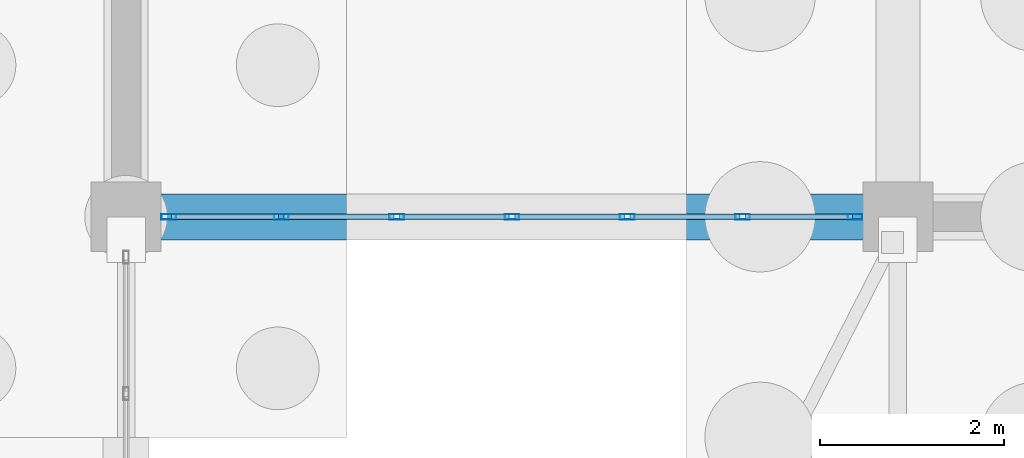
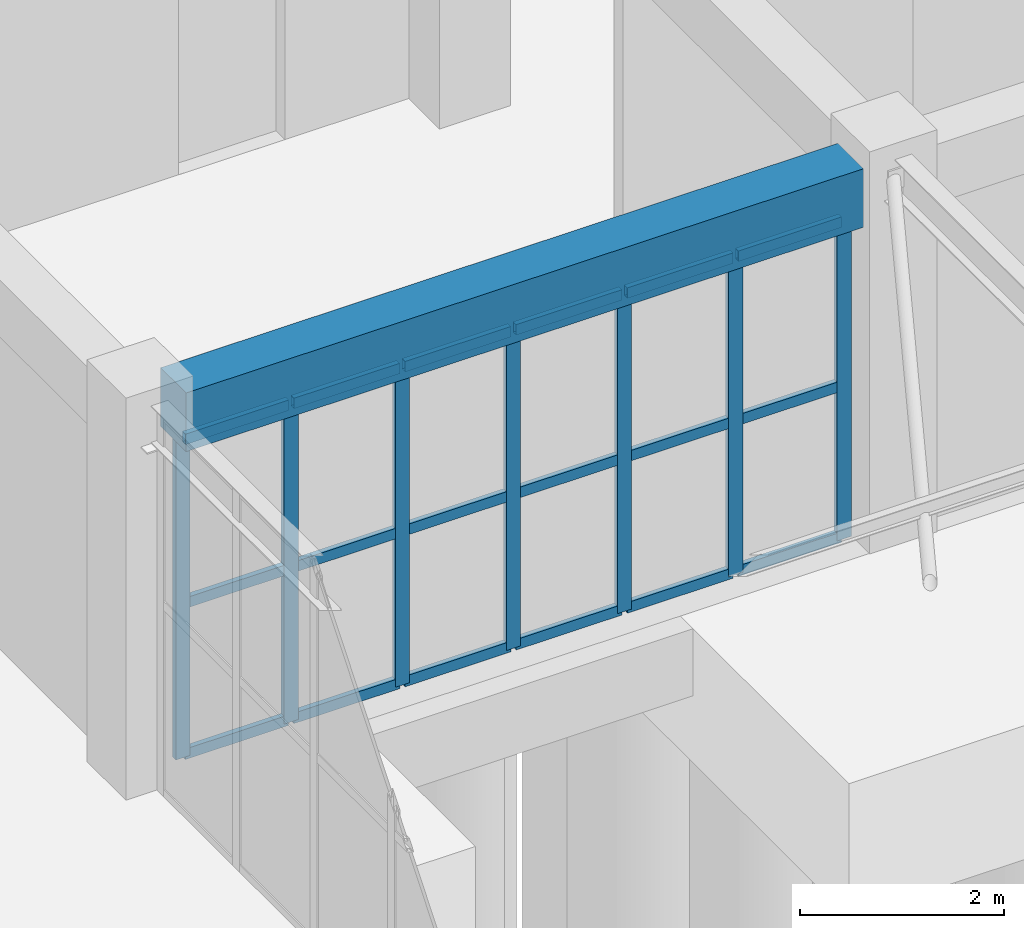
# One storey, part 65 of 192: 25 members, 1 beam, 1 element without a shape of its own.
"""IFC4 building model written with IfcOpenShell, lengths in metres."""

from ifc_helpers import new_model, si_unit, direction, frame, origin, origin_2d, place, context, subcontext, project, spatial, rectangle, hollow_rectangle, extrude, material, layer, layer_set, material_profile, profile_set, type_object, element, aggregate, save


model = new_model("IFC4")

# Units and contexts
model_context = context("Model", 3, precision=1e-05, world=origin(), true_north=direction((0.0, 1.0)))
body_context = subcontext(model_context, "Body", "Model", "MODEL_VIEW")
ifc_project = project(units=[si_unit("LENGTHUNIT", "METRE"), si_unit("AREAUNIT", "SQUARE_METRE"), si_unit("VOLUMEUNIT", "CUBIC_METRE"), si_unit("PLANEANGLEUNIT", "RADIAN"), si_unit("MASSUNIT", "GRAM", prefix="KILO")], contexts=[model_context])

# Site, building, storey
site_placement = place(None, origin())
site = spatial("IfcSite", under=ifc_project, at=site_placement, CompositionType="ELEMENT")
building_placement = place(site_placement, origin())
building = spatial("IfcBuilding", under=site, at=building_placement, Name="Trelvath General Hospital", CompositionType="ELEMENT")
storey_placement = place(building_placement, origin())
storey = spatial("IfcBuildingStorey", under=building, at=storey_placement, Name="L00", CompositionType="ELEMENT", Elevation=0.0)

# Beam
ifc_material_1 = material(Name="Concrete C35/45", Category="concrete")
ifc_material_profile_1 = material_profile(ifc_material_1, rectangle(XDim=0.5, YDim=0.699951171875, at=origin_2d()), Name="RCB500x700")
ifc_profile_set_1 = profile_set([ifc_material_profile_1], Name="Concrete C35/45")
beam_type = type_object("IfcBeamType", Name="Beam RC500x700", PredefinedType="BEAM", material=ifc_profile_set_1)
beam_placement = place(storey_placement, frame((75.97509765625, 42.0, 4.169921875), z_axis=(1.0, 0.0, 0.0), x_axis=(0.0, 1.0, 0.0)))
element("IfcBeam", 1, at=beam_placement, inside=storey, type_object=beam_type, Name="Grid Beam BX-009F", PredefinedType="BEAM", context=body_context, shape_type="SweptSolid", body=[
    extrude(rectangle(XDim=0.5, YDim=0.699951171875, at=origin_2d()), origin(), (0.0, 0.0, 1.0), 7.64990234375),
])

# Curtain wall, members
ifc_material_2 = material(Name="Anodised aluminium and low-E glass", Category="aluminium")
ifc_layer = layer(ifc_material_2, 0.159912109375)
ifc_layer_set = layer_set([ifc_layer], Name="Anodised aluminium and low-E glass")
curtain_wall_type = type_object("IfcCurtainWallType", Name="CW Facade 753 382 16", PredefinedType="USERDEFINED", material=ifc_layer_set)
curtain_wall_placement = place(storey_placement, origin())
curtain_wall = element("IfcCurtainWall", 2, at=curtain_wall_placement, inside=storey, type_object=curtain_wall_type, Name="Facade Curtain Wall CW-001", ObjectType="Unitised Glazed Curtain Wall", PredefinedType="USERDEFINED")
ifc_material_3 = material(Name="Anodised aluminium", Category="aluminium")
ifc_material_profile_2 = material_profile(ifc_material_3, hollow_rectangle(XDim=0.06005859375, YDim=0.159912109375, WallThickness=0.00390625, at=origin_2d()), Name="RHS60x160x4")
ifc_profile_set_2 = profile_set([ifc_material_profile_2], Name="Anodised aluminium")
member_type_1 = type_object("IfcMemberType", Name="CurtainMullion 60x160", PredefinedType="MULLION", material=ifc_profile_set_2)
member_1_placement = place(storey_placement, frame((83.534912109375, 42.0, 0.0), z_axis=(0.0, 0.0, 1.0), x_axis=(0.0, -1.0, 0.0)))
member_1 = element("IfcMember", 3, at=member_1_placement, type_object=member_type_1, Name="CW-001 mullion 1", PredefinedType="MULLION", context=body_context, shape_type="SweptSolid", body=[
    extrude(hollow_rectangle(XDim=0.06005859375, YDim=0.159912109375, WallThickness=0.00390625, at=origin_2d()), origin(), (0.0, 0.0, 1.0), 3.820068359375),
])
member_2_placement = place(storey_placement, frame((82.31005859375, 42.0, 0.0), z_axis=(0.0, 0.0, 1.0), x_axis=(0.0, -1.0, 0.0)))
member_2 = element("IfcMember", 4, at=member_2_placement, type_object=member_type_1, Name="CW-001 mullion 2", PredefinedType="MULLION", context=body_context, shape_type="SweptSolid", body=[
    extrude(hollow_rectangle(XDim=0.06005859375, YDim=0.159912109375, WallThickness=0.00390625, at=origin_2d()), origin(), (0.0, 0.0, 1.0), 3.820068359375),
])
member_3_placement = place(storey_placement, frame((81.054931640625, 42.0, 0.0), z_axis=(0.0, 0.0, 1.0), x_axis=(0.0, -1.0, 0.0)))
member_3 = element("IfcMember", 5, at=member_3_placement, type_object=member_type_1, Name="CW-001 mullion 3", PredefinedType="MULLION", context=body_context, shape_type="SweptSolid", body=[
    extrude(hollow_rectangle(XDim=0.06005859375, YDim=0.159912109375, WallThickness=0.00390625, at=origin_2d()), origin(), (0.0, 0.0, 1.0), 3.820068359375),
])
member_4_placement = place(storey_placement, frame((79.800048828125, 42.0, 0.0), z_axis=(0.0, 0.0, 1.0), x_axis=(0.0, -1.0, 0.0)))
member_4 = element("IfcMember", 6, at=member_4_placement, type_object=member_type_1, Name="CW-001 mullion 4", PredefinedType="MULLION", context=body_context, shape_type="SweptSolid", body=[
    extrude(hollow_rectangle(XDim=0.06005859375, YDim=0.159912109375, WallThickness=0.00390625, at=origin_2d()), origin(), (0.0, 0.0, 1.0), 3.820068359375),
])
member_5_placement = place(storey_placement, frame((78.544921875, 42.0, 0.0), z_axis=(0.0, 0.0, 1.0), x_axis=(0.0, -1.0, 0.0)))
member_5 = element("IfcMember", 7, at=member_5_placement, type_object=member_type_1, Name="CW-001 mullion 5", PredefinedType="MULLION", context=body_context, shape_type="SweptSolid", body=[
    extrude(hollow_rectangle(XDim=0.06005859375, YDim=0.159912109375, WallThickness=0.00390625, at=origin_2d()), origin(), (0.0, 0.0, 1.0), 3.820068359375),
])
member_6_placement = place(storey_placement, frame((77.2900390625, 42.0, 0.0), z_axis=(0.0, 0.0, 1.0), x_axis=(0.0, -1.0, 0.0)))
member_6 = element("IfcMember", 8, at=member_6_placement, type_object=member_type_1, Name="CW-001 mullion 6", PredefinedType="MULLION", context=body_context, shape_type="SweptSolid", body=[
    extrude(hollow_rectangle(XDim=0.06005859375, YDim=0.159912109375, WallThickness=0.00390625, at=origin_2d()), origin(), (0.0, 0.0, 1.0), 3.820068359375),
])
member_7_placement = place(storey_placement, frame((76.06494140625, 42.0, 0.0), z_axis=(0.0, 0.0, 1.0), x_axis=(0.0, -1.0, 0.0)))
member_7 = element("IfcMember", 9, at=member_7_placement, type_object=member_type_1, Name="CW-001 mullion 7", PredefinedType="MULLION", context=body_context, shape_type="SweptSolid", body=[
    extrude(hollow_rectangle(XDim=0.06005859375, YDim=0.159912109375, WallThickness=0.00390625, at=origin_2d()), origin(), (0.0, 0.0, 1.0), 3.820068359375),
])
ifc_material_4 = material(Name="Anodised aluminium", Category="aluminium")
ifc_material_profile_3 = material_profile(ifc_material_4, hollow_rectangle(XDim=0.06005859375, YDim=0.125, WallThickness=0.00390625, at=origin_2d()), Name="RHS60x125x4")
ifc_profile_set_3 = profile_set([ifc_material_profile_3], Name="Anodised aluminium")
member_type_2 = type_object("IfcMemberType", Name="CurtainTransom 60x125", PredefinedType="USERDEFINED", material=ifc_profile_set_3)
member_8_placement = place(storey_placement, frame((83.5048828125, 42.0, 0.030029296875), z_axis=(-1.0, 0.0, 0.0), x_axis=(0.0, -1.0, 0.0)))
member_8 = element("IfcMember", 10, at=member_8_placement, type_object=member_type_2, Name="CW-001 transom 1.1", ObjectType="TRANSOM", PredefinedType="USERDEFINED", context=body_context, shape_type="SweptSolid", body=[
    extrude(hollow_rectangle(XDim=0.06005859375, YDim=0.125, WallThickness=0.00390625, at=origin_2d()), origin(), (0.0, 0.0, 1.0), 1.164794921875),
])
member_9_placement = place(storey_placement, frame((83.5048828125, 42.0, 1.833984375), z_axis=(-1.0, 0.0, 0.0), x_axis=(0.0, -1.0, 0.0)))
member_9 = element("IfcMember", 11, at=member_9_placement, type_object=member_type_2, Name="CW-001 transom 1.2", ObjectType="TRANSOM", PredefinedType="USERDEFINED", context=body_context, shape_type="SweptSolid", body=[
    extrude(hollow_rectangle(XDim=0.06005859375, YDim=0.125, WallThickness=0.00390625, at=origin_2d()), origin(), (0.0, 0.0, 1.0), 1.164794921875),
])
member_10_placement = place(storey_placement, frame((83.5048828125, 42.0, 3.7900390625), z_axis=(-1.0, 0.0, 0.0), x_axis=(0.0, -1.0, 0.0)))
member_10 = element("IfcMember", 12, at=member_10_placement, type_object=member_type_2, Name="CW-001 transom 1.3", ObjectType="TRANSOM", PredefinedType="USERDEFINED", context=body_context, shape_type="SweptSolid", body=[
    extrude(hollow_rectangle(XDim=0.06005859375, YDim=0.125, WallThickness=0.00390625, at=origin_2d()), origin(), (0.0, 0.0, 1.0), 1.164794921875),
])
member_11_placement = place(storey_placement, frame((82.280029296875, 42.0, 0.030029296875), z_axis=(-1.0, 0.0, 0.0), x_axis=(0.0, -1.0, 0.0)))
member_11 = element("IfcMember", 13, at=member_11_placement, type_object=member_type_2, Name="CW-001 transom 2.1", ObjectType="TRANSOM", PredefinedType="USERDEFINED", context=body_context, shape_type="SweptSolid", body=[
    extrude(hollow_rectangle(XDim=0.06005859375, YDim=0.125, WallThickness=0.00390625, at=origin_2d()), origin(), (0.0, 0.0, 1.0), 1.195068359375),
])
member_12_placement = place(storey_placement, frame((82.280029296875, 42.0, 1.833984375), z_axis=(-1.0, 0.0, 0.0), x_axis=(0.0, -1.0, 0.0)))
member_12 = element("IfcMember", 14, at=member_12_placement, type_object=member_type_2, Name="CW-001 transom 2.2", ObjectType="TRANSOM", PredefinedType="USERDEFINED", context=body_context, shape_type="SweptSolid", body=[
    extrude(hollow_rectangle(XDim=0.06005859375, YDim=0.125, WallThickness=0.00390625, at=origin_2d()), origin(), (0.0, 0.0, 1.0), 1.195068359375),
])
member_13_placement = place(storey_placement, frame((82.280029296875, 42.0, 3.7900390625), z_axis=(-1.0, 0.0, 0.0), x_axis=(0.0, -1.0, 0.0)))
member_13 = element("IfcMember", 15, at=member_13_placement, type_object=member_type_2, Name="CW-001 transom 2.3", ObjectType="TRANSOM", PredefinedType="USERDEFINED", context=body_context, shape_type="SweptSolid", body=[
    extrude(hollow_rectangle(XDim=0.06005859375, YDim=0.125, WallThickness=0.00390625, at=origin_2d()), origin(), (0.0, 0.0, 1.0), 1.195068359375),
])
member_14_placement = place(storey_placement, frame((81.02490234375, 42.0, 0.030029296875), z_axis=(-1.0, 0.0, 0.0), x_axis=(0.0, -1.0, 0.0)))
member_14 = element("IfcMember", 16, at=member_14_placement, type_object=member_type_2, Name="CW-001 transom 3.1", ObjectType="TRANSOM", PredefinedType="USERDEFINED", context=body_context, shape_type="SweptSolid", body=[
    extrude(hollow_rectangle(XDim=0.06005859375, YDim=0.125, WallThickness=0.00390625, at=origin_2d()), origin(), (0.0, 0.0, 1.0), 1.19482421875),
])
member_15_placement = place(storey_placement, frame((81.02490234375, 42.0, 1.833984375), z_axis=(-1.0, 0.0, 0.0), x_axis=(0.0, -1.0, 0.0)))
member_15 = element("IfcMember", 17, at=member_15_placement, type_object=member_type_2, Name="CW-001 transom 3.2", ObjectType="TRANSOM", PredefinedType="USERDEFINED", context=body_context, shape_type="SweptSolid", body=[
    extrude(hollow_rectangle(XDim=0.06005859375, YDim=0.125, WallThickness=0.00390625, at=origin_2d()), origin(), (0.0, 0.0, 1.0), 1.19482421875),
])
member_16_placement = place(storey_placement, frame((81.02490234375, 42.0, 3.7900390625), z_axis=(-1.0, 0.0, 0.0), x_axis=(0.0, -1.0, 0.0)))
member_16 = element("IfcMember", 18, at=member_16_placement, type_object=member_type_2, Name="CW-001 transom 3.3", ObjectType="TRANSOM", PredefinedType="USERDEFINED", context=body_context, shape_type="SweptSolid", body=[
    extrude(hollow_rectangle(XDim=0.06005859375, YDim=0.125, WallThickness=0.00390625, at=origin_2d()), origin(), (0.0, 0.0, 1.0), 1.19482421875),
])
member_17_placement = place(storey_placement, frame((79.77001953125, 42.0, 0.030029296875), z_axis=(-1.0, 0.0, 0.0), x_axis=(0.0, -1.0, 0.0)))
member_17 = element("IfcMember", 19, at=member_17_placement, type_object=member_type_2, Name="CW-001 transom 4.1", ObjectType="TRANSOM", PredefinedType="USERDEFINED", context=body_context, shape_type="SweptSolid", body=[
    extrude(hollow_rectangle(XDim=0.06005859375, YDim=0.125, WallThickness=0.00390625, at=origin_2d()), origin(), (0.0, 0.0, 1.0), 1.195068359375),
])
member_18_placement = place(storey_placement, frame((79.77001953125, 42.0, 1.833984375), z_axis=(-1.0, 0.0, 0.0), x_axis=(0.0, -1.0, 0.0)))
member_18 = element("IfcMember", 20, at=member_18_placement, type_object=member_type_2, Name="CW-001 transom 4.2", ObjectType="TRANSOM", PredefinedType="USERDEFINED", context=body_context, shape_type="SweptSolid", body=[
    extrude(hollow_rectangle(XDim=0.06005859375, YDim=0.125, WallThickness=0.00390625, at=origin_2d()), origin(), (0.0, 0.0, 1.0), 1.195068359375),
])
member_19_placement = place(storey_placement, frame((79.77001953125, 42.0, 3.7900390625), z_axis=(-1.0, 0.0, 0.0), x_axis=(0.0, -1.0, 0.0)))
member_19 = element("IfcMember", 21, at=member_19_placement, type_object=member_type_2, Name="CW-001 transom 4.3", ObjectType="TRANSOM", PredefinedType="USERDEFINED", context=body_context, shape_type="SweptSolid", body=[
    extrude(hollow_rectangle(XDim=0.06005859375, YDim=0.125, WallThickness=0.00390625, at=origin_2d()), origin(), (0.0, 0.0, 1.0), 1.195068359375),
])
member_20_placement = place(storey_placement, frame((78.514892578125, 42.0, 0.030029296875), z_axis=(-1.0, 0.0, 0.0), x_axis=(0.0, -1.0, 0.0)))
member_20 = element("IfcMember", 22, at=member_20_placement, type_object=member_type_2, Name="CW-001 transom 5.1", ObjectType="TRANSOM", PredefinedType="USERDEFINED", context=body_context, shape_type="SweptSolid", body=[
    extrude(hollow_rectangle(XDim=0.06005859375, YDim=0.125, WallThickness=0.00390625, at=origin_2d()), origin(), (0.0, 0.0, 1.0), 1.19482421875),
])
member_21_placement = place(storey_placement, frame((78.514892578125, 42.0, 1.833984375), z_axis=(-1.0, 0.0, 0.0), x_axis=(0.0, -1.0, 0.0)))
member_21 = element("IfcMember", 23, at=member_21_placement, type_object=member_type_2, Name="CW-001 transom 5.2", ObjectType="TRANSOM", PredefinedType="USERDEFINED", context=body_context, shape_type="SweptSolid", body=[
    extrude(hollow_rectangle(XDim=0.06005859375, YDim=0.125, WallThickness=0.00390625, at=origin_2d()), origin(), (0.0, 0.0, 1.0), 1.19482421875),
])
member_22_placement = place(storey_placement, frame((78.514892578125, 42.0, 3.7900390625), z_axis=(-1.0, 0.0, 0.0), x_axis=(0.0, -1.0, 0.0)))
member_22 = element("IfcMember", 24, at=member_22_placement, type_object=member_type_2, Name="CW-001 transom 5.3", ObjectType="TRANSOM", PredefinedType="USERDEFINED", context=body_context, shape_type="SweptSolid", body=[
    extrude(hollow_rectangle(XDim=0.06005859375, YDim=0.125, WallThickness=0.00390625, at=origin_2d()), origin(), (0.0, 0.0, 1.0), 1.19482421875),
])
member_23_placement = place(storey_placement, frame((77.260009765625, 42.0, 0.030029296875), z_axis=(-1.0, 0.0, 0.0), x_axis=(0.0, -1.0, 0.0)))
member_23 = element("IfcMember", 25, at=member_23_placement, type_object=member_type_2, Name="CW-001 transom 6.1", ObjectType="TRANSOM", PredefinedType="USERDEFINED", context=body_context, shape_type="SweptSolid", body=[
    extrude(hollow_rectangle(XDim=0.06005859375, YDim=0.125, WallThickness=0.00390625, at=origin_2d()), origin(), (0.0, 0.0, 1.0), 1.1650390625),
])
member_24_placement = place(storey_placement, frame((77.260009765625, 42.0, 1.833984375), z_axis=(-1.0, 0.0, 0.0), x_axis=(0.0, -1.0, 0.0)))
member_24 = element("IfcMember", 26, at=member_24_placement, type_object=member_type_2, Name="CW-001 transom 6.2", ObjectType="TRANSOM", PredefinedType="USERDEFINED", context=body_context, shape_type="SweptSolid", body=[
    extrude(hollow_rectangle(XDim=0.06005859375, YDim=0.125, WallThickness=0.00390625, at=origin_2d()), origin(), (0.0, 0.0, 1.0), 1.1650390625),
])
member_25_placement = place(storey_placement, frame((77.260009765625, 42.0, 3.7900390625), z_axis=(-1.0, 0.0, 0.0), x_axis=(0.0, -1.0, 0.0)))
member_25 = element("IfcMember", 27, at=member_25_placement, type_object=member_type_2, Name="CW-001 transom 6.3", ObjectType="TRANSOM", PredefinedType="USERDEFINED", context=body_context, shape_type="SweptSolid", body=[
    extrude(hollow_rectangle(XDim=0.06005859375, YDim=0.125, WallThickness=0.00390625, at=origin_2d()), origin(), (0.0, 0.0, 1.0), 1.1650390625),
])
aggregate(curtain_wall, [member_1, member_2, member_3, member_4, member_5, member_6, member_7, member_8, member_9, member_10, member_11, member_12, member_13, member_14, member_15, member_16, member_17, member_18, member_19, member_20, member_21, member_22, member_23, member_24, member_25])

save(model, "model.ifc")
